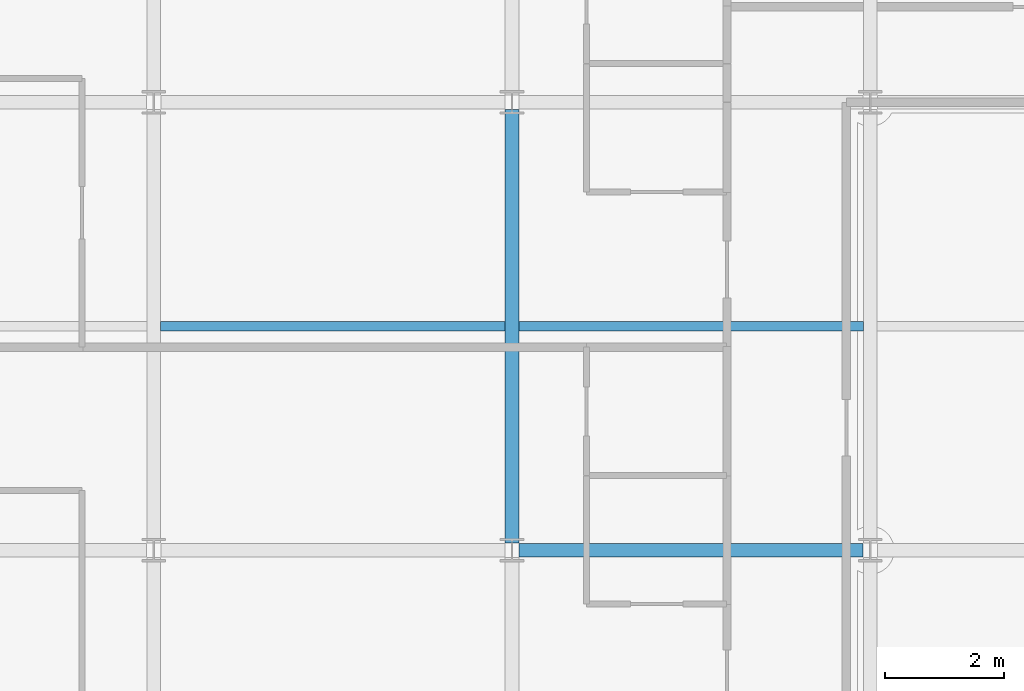
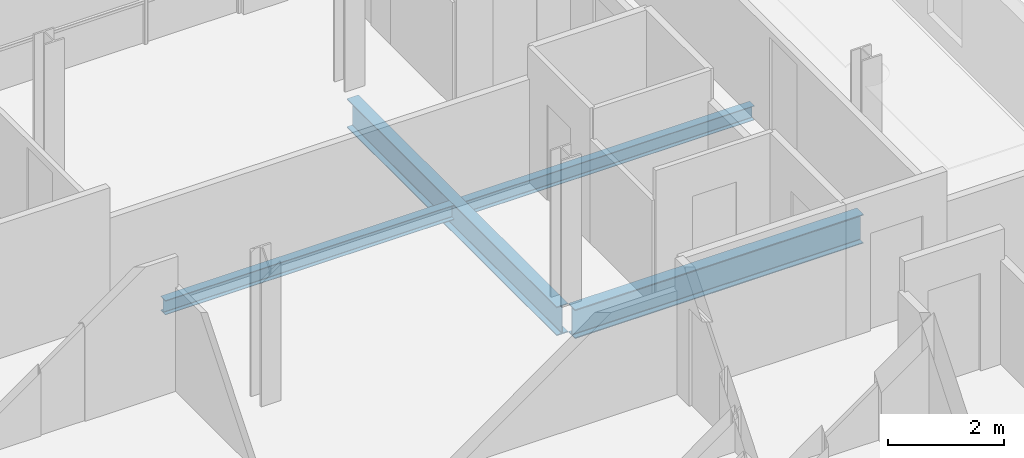
# One storey, part 7 of 36: 4 beams.
"""IFC4 building model written with IfcOpenShell, lengths in metres."""

from ifc_helpers import new_model, si_unit, direction, frame, origin, origin_2d, place, context, subcontext, project, spatial, i_section, extrude, material, material_profile, profile_set, type_object, element, save


model = new_model("IFC4")

# Units and contexts
model_context = context("Model", 3, precision=1e-05, world=origin(), true_north=direction((0.0, 1.0)))
body_context = subcontext(model_context, "Body", "Model", "MODEL_VIEW")
ifc_project = project(units=[si_unit("LENGTHUNIT", "METRE"), si_unit("AREAUNIT", "SQUARE_METRE"), si_unit("VOLUMEUNIT", "CUBIC_METRE"), si_unit("PLANEANGLEUNIT", "RADIAN"), si_unit("MASSUNIT", "GRAM", prefix="KILO")], contexts=[model_context])

# Site, building, storey
site_placement = place(None, origin())
site = spatial("IfcSite", under=ifc_project, at=site_placement, CompositionType="ELEMENT")
building_placement = place(site_placement, origin())
building = spatial("IfcBuilding", under=site, at=building_placement, Name="Brevholm Reach", CompositionType="ELEMENT")
storey_placement = place(building_placement, frame((0.0, 0.0, 175.89990234375)))
storey = spatial("IfcBuildingStorey", under=building, at=storey_placement, Name="L53", CompositionType="ELEMENT", Elevation=175.89990234375)

# Beams
ifc_material_1 = material(Name="Structural Steel S355J2", Category="steel")
ifc_material_profile_1 = material_profile(ifc_material_1, i_section(OverallWidth=0.1650390625, OverallDepth=0.303466796875, WebThickness=0.006103515625, FlangeThickness=0.01025390625, FilletRadius=0.0087890625, at=origin_2d()), Name="UKB 305x165x40")
ifc_profile_set_1 = profile_set([ifc_material_profile_1], Name="Structural Steel S355J2")
beam_type_1 = type_object("IfcBeamType", Name="BM-B305", PredefinedType="BEAM", material=ifc_profile_set_1)
for number, where, z_axis, x_axis, name in (
    (1, (6.114501953125, 19.75, -0.361572265625), (1.0, 0.0, 0.0), (0.0, 1.0, 0.0), "L53 Composite Secondary Floor Beam"),
    (2, (12.114501953125, 19.75, -0.361572265625), (1.0, 0.0, 0.0), (0.0, 1.0, 0.0), "L53 Composite Secondary Floor Beam"),
):
    element("IfcBeam", number, at=place(storey_placement, frame(where, z_axis=z_axis, x_axis=x_axis)), inside=storey, type_object=beam_type_1, Name=name, PredefinedType="BEAM", context=body_context, shape_type="SweptSolid", body=[
        extrude(i_section(OverallWidth=0.1650390625, OverallDepth=0.303466796875, WebThickness=0.006103515625, FlangeThickness=0.01025390625, FilletRadius=0.0087890625, at=origin_2d()), origin(), (0.0, 0.0, 1.0), 5.77099609375),
    ])
ifc_material_2 = material(Name="Structural Steel S355J2", Category="steel")
ifc_material_profile_2 = material_profile(ifc_material_2, i_section(OverallWidth=0.22900390625, OverallDepth=0.6123046875, WebThickness=0.011962890625, FlangeThickness=0.01953125, FilletRadius=0.0126953125, at=origin_2d()), Name="UKB 610x229x125")
ifc_profile_set_2 = profile_set([ifc_material_profile_2], Name="Structural Steel S355J2")
beam_type_2 = type_object("IfcBeamType", Name="BM-SP610", PredefinedType="SPANDREL", material=ifc_profile_set_2)
beam_1_placement = place(storey_placement, frame((12.1201171875, 16.0, -0.51611328125), z_axis=(1.0, 0.0, 0.0), x_axis=(0.0, 1.0, 0.0)))
element("IfcBeam", 3, at=beam_1_placement, inside=storey, type_object=beam_type_2, Name="L53 SP-01 Framing Beam", PredefinedType="SPANDREL", context=body_context, shape_type="SweptSolid", body=[
    extrude(i_section(OverallWidth=0.22900390625, OverallDepth=0.6123046875, WebThickness=0.011962890625, FlangeThickness=0.01953125, FilletRadius=0.0126953125, at=origin_2d()), origin(), (0.0, 0.0, 1.0), 5.759765625),
])
beam_2_placement = place(storey_placement, frame((12.0, 16.1201171875, -0.51611328125), z_axis=(0.0, 1.0, 0.0), x_axis=(-1.0, 0.0, 0.0)))
element("IfcBeam", 4, at=beam_2_placement, inside=storey, type_object=beam_type_2, Name="L53 SP-01 Framing Beam", PredefinedType="SPANDREL", context=body_context, shape_type="SweptSolid", body=[
    extrude(i_section(OverallWidth=0.22900390625, OverallDepth=0.6123046875, WebThickness=0.011962890625, FlangeThickness=0.01953125, FilletRadius=0.0126953125, at=origin_2d()), origin(), (0.0, 0.0, 1.0), 7.259765625),
])

save(model, "model.ifc")
